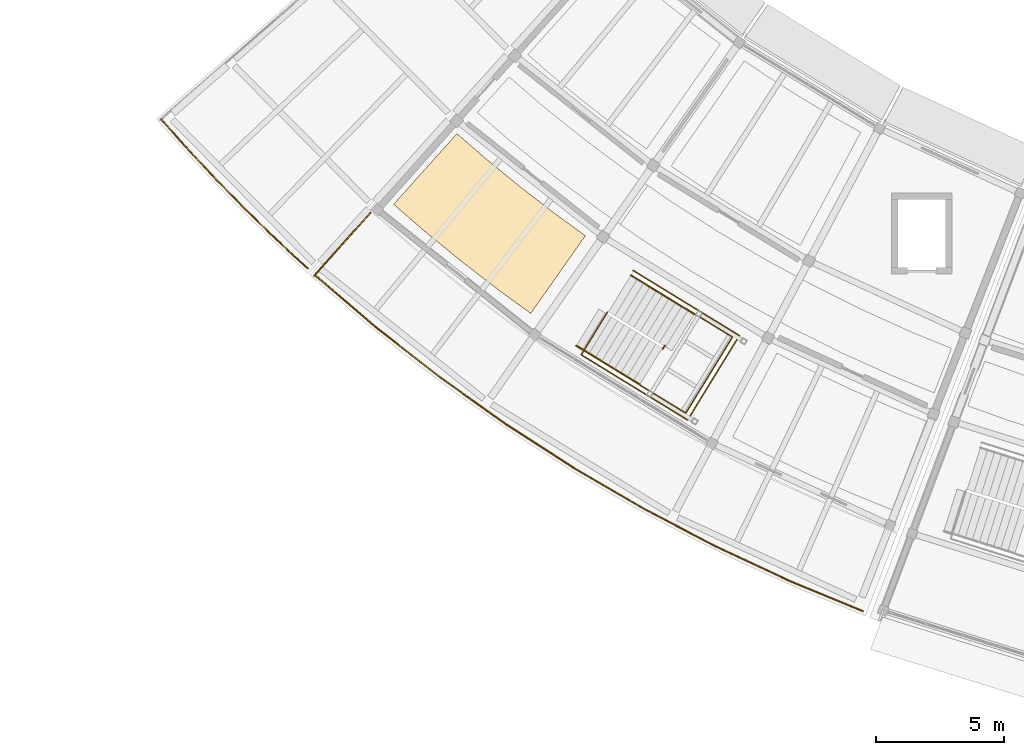
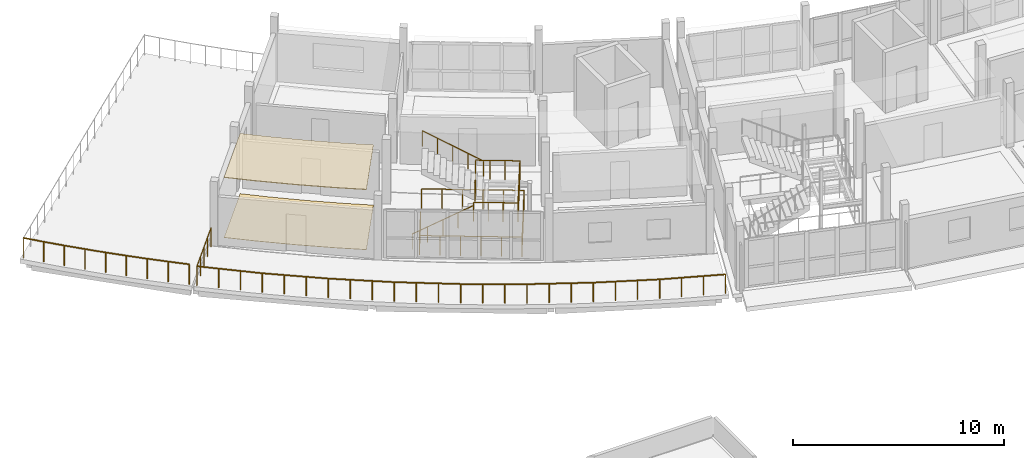
# One storey, part 32 of 36: 8 railings, 2 coverings.
"""IFC4 building model written with IfcOpenShell, lengths in metres."""

from ifc_helpers import new_model, si_unit, direction, frame, origin, origin_2d, place, context, subcontext, project, spatial, polyline, circle, outline, extrude, material, layer, layer_set, type_object, element, save


model = new_model("IFC4")

# Units and contexts
model_context = context("Model", 3, precision=1e-05, world=origin(), true_north=direction((0.0, 1.0)))
body_context = subcontext(model_context, "Body", "Model", "MODEL_VIEW")
ifc_project = project(units=[si_unit("LENGTHUNIT", "METRE"), si_unit("AREAUNIT", "SQUARE_METRE"), si_unit("VOLUMEUNIT", "CUBIC_METRE"), si_unit("PLANEANGLEUNIT", "RADIAN"), si_unit("MASSUNIT", "GRAM", prefix="KILO")], contexts=[model_context])

# Site, building, storey
site_placement = place(None, origin())
site = spatial("IfcSite", under=ifc_project, at=site_placement, CompositionType="ELEMENT")
building_placement = place(site_placement, origin())
building = spatial("IfcBuilding", under=site, at=building_placement, Name="Caldaven Crescent School", CompositionType="ELEMENT")
storey_placement = place(building_placement, frame((0.0, 0.0, 11.89990234375)))
storey = spatial("IfcBuildingStorey", under=building, at=storey_placement, Name="L03", CompositionType="ELEMENT", Elevation=11.89990234375)

# Coverings
ifc_material_1 = material(Name="Perforated Pino Radiata acoustic timber baffle ceiling", Category="wood")
ifc_layer_1 = layer(ifc_material_1, 0.0380859375)
ifc_layer_set_1 = layer_set([ifc_layer_1], Name="Perforated Pino Radiata acoustic timber baffle ceiling")
covering_type_1 = type_object("IfcCoveringType", Name="COV-CLG2", PredefinedType="CEILING", material=ifc_layer_set_1)
covering_1_placement = place(storey_placement, frame((0.0, 0.0, 3.47216796875)))
element("IfcCovering", 1, at=covering_1_placement, inside=storey, type_object=covering_type_1, Name="CLG-L03-165", PredefinedType="CEILING", context=body_context, shape_type="SweptSolid", body=[
    extrude(outline(polyline([(47.9443359375, 48.58447265625), (47.95458984375, 48.575927734375), (49.355224609375, 47.427734375), (49.36572265625, 47.41943359375), (50.7998046875, 46.312744140625), (50.810302734375, 46.304931640625), (51.917236328125, 45.50146484375), (49.7880859375, 42.4755859375), (48.587890625, 43.3466796875), (47.057373046875, 44.52783203125), (45.56201171875, 45.75341796875), (44.443115234375, 46.72705078125), (46.91259765625, 49.482421875), (47.9443359375, 48.58447265625)])), origin(), (0.0, 0.0, 1.0), 0.037841796875),
])
ifc_material_2 = material(Name="Polished terrazzo and acoustic linoleum flooring")
ifc_layer_2 = layer(ifc_material_2, 0.02001953125)
ifc_layer_set_2 = layer_set([ifc_layer_2], Name="Polished terrazzo and acoustic linoleum flooring")
covering_type_2 = type_object("IfcCoveringType", Name="COV-FLR1", PredefinedType="FLOORING", material=ifc_layer_set_2)
covering_2_placement = place(storey_placement, origin())
element("IfcCovering", 2, at=covering_2_placement, inside=storey, type_object=covering_type_2, Name="FLR-L03-165", PredefinedType="FLOORING", context=body_context, shape_type="SweptSolid", body=[
    extrude(outline(polyline([(46.91259765625, 49.482421875), (47.9443359375, 48.58447265625), (47.95458984375, 48.575927734375), (49.355224609375, 47.427734375), (49.36572265625, 47.41943359375), (50.7998046875, 46.312744140625), (50.810302734375, 46.304931640625), (51.917236328125, 45.50146484375), (49.7880859375, 42.4755859375), (48.587890625, 43.3466796875), (47.057373046875, 44.52783203125), (45.56201171875, 45.75341796875), (44.443115234375, 46.72705078125), (46.91259765625, 49.482421875)])), origin(), (0.0, 0.0, 1.0), 0.02001953125),
])

# Railings
ifc_material_3 = material(Name="Galvanised powder-coated steel balustrade ASTM A572 Grade 50", Category="steel")
railing_type_1 = type_object("IfcRailingType", Name="RAL-EXT2", PredefinedType="BALUSTRADE", material=ifc_material_3)
railing_1_placement = place(storey_placement, frame((41.373779296875, 43.976806640625, 0.0)))
element("IfcRailing", 3, at=railing_1_placement, inside=storey, type_object=railing_type_1, Name="GD-BT-L03-W-OUT", PredefinedType="BALUSTRADE", context=body_context, shape_type="SweptSolid", body=[
    extrude(circle(Radius=0.02392578125, at=origin_2d()), frame((0.0, 0.0, 1.09619140625), z_axis=(0.759530103452, -0.650472153094, 0.0), x_axis=(0.650472153094, 0.759530103452, 0.0)), (0.0, 0.0, 1.0), 3.149658203125),
    extrude(circle(Radius=0.02392578125, at=origin_2d()), frame((2.392333984375, -2.048828125, 1.09619140625), z_axis=(0.788069031485, -0.615586875765, 0.0), x_axis=(0.615586875765, 0.788069031485, 0.0)), (0.0, 0.0, 1.0), 3.1494140625),
    extrude(circle(Radius=0.02392578125, at=origin_2d()), frame((4.874267578125, -3.987548828125, 1.09619140625), z_axis=(0.81501471023, -0.579440266213, 0.0), x_axis=(0.579440266213, 0.81501471023, 0.0)), (0.0, 0.0, 1.0), 3.1494140625),
    extrude(circle(Radius=0.02392578125, at=origin_2d()), frame((7.441162109375, -5.8125, 1.09619140625), z_axis=(0.840338791908, -0.542061541538, 0.0), x_axis=(0.542061541538, 0.840338791908, 0.0)), (0.0, 0.0, 1.0), 3.149658203125),
    extrude(circle(Radius=0.02392578125, at=origin_2d()), frame((10.087890625, -7.519775390625, 1.09619140625), z_axis=(0.863888523968, -0.503683053275, 0.0), x_axis=(0.503683053275, 0.863888523968, 0.0)), (0.0, 0.0, 1.0), 3.149658203125),
    extrude(circle(Radius=0.02392578125, at=origin_2d()), frame((12.808837890625, -9.106201171875, 1.09619140625), z_axis=(0.885705572536, -0.46424738963, 0.0), x_axis=(0.46424738963, 0.885705572536, 0.0)), (0.0, 0.0, 1.0), 3.1494140625),
    extrude(circle(Radius=0.02392578125, at=origin_2d()), frame((15.598388671875, -10.568359375, 1.09619140625), z_axis=(0.905752912637, -0.423806159995, 0.0), x_axis=(0.423806159995, 0.905752912637, 0.0)), (0.0, 0.0, 1.0), 3.1494140625),
    extrude(circle(Radius=0.02392578125, at=origin_2d()), frame((18.450927734375, -11.903076171875, 1.09619140625), z_axis=(0.923907249751, -0.382616510174, 0.0), x_axis=(0.382616510174, 0.923907249751, 0.0)), (0.0, 0.0, 1.0), 3.149658203125),
    extrude(circle(Radius=0.02099609375, at=origin_2d()), origin(), (0.0, 0.0, 1.0), 1.072021484375),
    extrude(circle(Radius=0.02099609375, at=origin_2d()), frame((0.79736328125, -0.682861328125, 0.0)), (0.0, 0.0, 1.0), 1.072021484375),
    extrude(circle(Radius=0.02099609375, at=origin_2d()), frame((1.594970703125, -1.365966796875, 0.0)), (0.0, 0.0, 1.0), 1.072021484375),
    extrude(circle(Radius=0.02099609375, at=origin_2d()), frame((2.392333984375, -2.048828125, 0.0)), (0.0, 0.0, 1.0), 1.072021484375),
    extrude(circle(Radius=0.02099609375, at=origin_2d()), frame((3.2197265625, -2.695068359375, 0.0)), (0.0, 0.0, 1.0), 1.072021484375),
    extrude(circle(Radius=0.02099609375, at=origin_2d()), frame((4.046875, -3.34130859375, 0.0)), (0.0, 0.0, 1.0), 1.072021484375),
    extrude(circle(Radius=0.02099609375, at=origin_2d()), frame((4.874267578125, -3.987548828125, 0.0)), (0.0, 0.0, 1.0), 1.072021484375),
    extrude(circle(Radius=0.02099609375, at=origin_2d()), frame((5.72998046875, -4.595947265625, 0.0)), (0.0, 0.0, 1.0), 1.072021484375),
    extrude(circle(Radius=0.02099609375, at=origin_2d()), frame((6.58544921875, -5.2041015625, 0.0)), (0.0, 0.0, 1.0), 1.072021484375),
    extrude(circle(Radius=0.02099609375, at=origin_2d()), frame((7.441162109375, -5.8125, 0.0)), (0.0, 0.0, 1.0), 1.072021484375),
    extrude(circle(Radius=0.02099609375, at=origin_2d()), frame((8.323486328125, -6.381591796875, 0.0)), (0.0, 0.0, 1.0), 1.072021484375),
    extrude(circle(Radius=0.02099609375, at=origin_2d()), frame((9.20556640625, -6.95068359375, 0.0)), (0.0, 0.0, 1.0), 1.072021484375),
    extrude(circle(Radius=0.02099609375, at=origin_2d()), frame((10.087890625, -7.519775390625, 0.0)), (0.0, 0.0, 1.0), 1.072021484375),
    extrude(circle(Radius=0.02099609375, at=origin_2d()), frame((10.994873046875, -8.048583984375, 0.0)), (0.0, 0.0, 1.0), 1.072021484375),
    extrude(circle(Radius=0.02099609375, at=origin_2d()), frame((11.90185546875, -8.577392578125, 0.0)), (0.0, 0.0, 1.0), 1.072021484375),
    extrude(circle(Radius=0.02099609375, at=origin_2d()), frame((12.808837890625, -9.106201171875, 0.0)), (0.0, 0.0, 1.0), 1.072021484375),
    extrude(circle(Radius=0.02099609375, at=origin_2d()), frame((13.73876953125, -9.593505859375, 0.0)), (0.0, 0.0, 1.0), 1.072021484375),
    extrude(circle(Radius=0.02099609375, at=origin_2d()), frame((14.66845703125, -10.0810546875, 0.0)), (0.0, 0.0, 1.0), 1.072021484375),
    extrude(circle(Radius=0.02099609375, at=origin_2d()), frame((15.598388671875, -10.568359375, 0.0)), (0.0, 0.0, 1.0), 1.072021484375),
    extrude(circle(Radius=0.02099609375, at=origin_2d()), frame((16.54931640625, -11.01318359375, 0.0)), (0.0, 0.0, 1.0), 1.072021484375),
    extrude(circle(Radius=0.02099609375, at=origin_2d()), frame((17.5, -11.458251953125, 0.0)), (0.0, 0.0, 1.0), 1.072021484375),
    extrude(circle(Radius=0.02099609375, at=origin_2d()), frame((18.450927734375, -11.903076171875, 0.0)), (0.0, 0.0, 1.0), 1.072021484375),
    extrude(circle(Radius=0.02099609375, at=origin_2d()), frame((19.4208984375, -12.3046875, 0.0)), (0.0, 0.0, 1.0), 1.072021484375),
    extrude(circle(Radius=0.02099609375, at=origin_2d()), frame((20.390869140625, -12.70654296875, 0.0)), (0.0, 0.0, 1.0), 1.072021484375),
    extrude(circle(Radius=0.02099609375, at=origin_2d()), frame((21.36083984375, -13.108154296875, 0.0)), (0.0, 0.0, 1.0), 1.072021484375),
])
railing_2_placement = place(storey_placement, frame((43.536376953125, 46.389404296875, 0.0)))
element("IfcRailing", 4, at=railing_2_placement, inside=storey, type_object=railing_type_1, Name="GD-BT-L03-W-END0", PredefinedType="BALUSTRADE", context=body_context, shape_type="SweptSolid", body=[
    extrude(circle(Radius=0.02392578125, at=origin_2d()), frame((0.0, 0.0, 1.09619140625), z_axis=(-0.667458211328, -0.744647256176, 0.0), x_axis=(0.744647256176, -0.667458211328, 0.0)), (0.0, 0.0, 1.0), 3.280029296875),
    extrude(circle(Radius=0.02099609375, at=origin_2d()), origin(), (0.0, 0.0, 1.0), 1.072021484375),
    extrude(circle(Radius=0.02099609375, at=origin_2d()), frame((-0.54736328125, -0.610595703125, 0.0)), (0.0, 0.0, 1.0), 1.072021484375),
    extrude(circle(Radius=0.02099609375, at=origin_2d()), frame((-1.0947265625, -1.22119140625, 0.0)), (0.0, 0.0, 1.0), 1.072021484375),
    extrude(circle(Radius=0.02099609375, at=origin_2d()), frame((-1.641845703125, -1.831787109375, 0.0)), (0.0, 0.0, 1.0), 1.072021484375),
    extrude(circle(Radius=0.02099609375, at=origin_2d()), frame((-2.189208984375, -2.4423828125, 0.0)), (0.0, 0.0, 1.0), 1.072021484375),
])
railing_type_2 = type_object("IfcRailingType", Name="RAL-EXT4", PredefinedType="BALUSTRADE", material=ifc_material_3)
railing_3_placement = place(storey_placement, frame((35.38134765625, 50.046875, 0.0)))
element("IfcRailing", 5, at=railing_3_placement, inside=storey, type_object=railing_type_2, Name="GD-PD-L03-W-OUT", PredefinedType="BALUSTRADE", context=body_context, shape_type="SweptSolid", body=[
    extrude(circle(Radius=0.02392578125, at=origin_2d()), frame((0.0, 0.0, 1.15576171875), z_axis=(0.663203898473, -0.748438767736, 0.0), x_axis=(0.748438767736, 0.663203898473, 0.0)), (0.0, 0.0, 1.0), 1.019775390625),
    extrude(circle(Radius=0.02392578125, at=origin_2d()), frame((0.67626953125, -0.76318359375, 1.15576171875), z_axis=(0.674161463339, -0.738583997491, 0.0), x_axis=(0.738583997491, 0.674161463339, 0.0)), (0.0, 0.0, 1.0), 1.01953125),
    extrude(circle(Radius=0.02392578125, at=origin_2d()), frame((1.363525390625, -1.51611328125, 1.15576171875), z_axis=(0.684737124095, -0.728790141869, 0.0), x_axis=(0.728790141869, 0.684737124095, 0.0)), (0.0, 0.0, 1.0), 1.019775390625),
    extrude(circle(Radius=0.02392578125, at=origin_2d()), frame((2.061767578125, -2.25927734375, 1.15576171875), z_axis=(0.695521126415, -0.718505645566, 0.0), x_axis=(0.718505645566, 0.695521126415, 0.0)), (0.0, 0.0, 1.0), 1.019775390625),
    extrude(circle(Radius=0.02392578125, at=origin_2d()), frame((2.77099609375, -2.991943359375, 1.15576171875), z_axis=(0.705668602357, -0.708542040847, 0.0), x_axis=(0.708542040847, 0.705668602357, 0.0)), (0.0, 0.0, 1.0), 1.01953125),
    extrude(circle(Radius=0.02392578125, at=origin_2d()), frame((3.490478515625, -3.71435546875, 1.15576171875), z_axis=(0.716146730092, -0.697949755339, 0.0), x_axis=(0.697949755339, 0.716146730092, 0.0)), (0.0, 0.0, 1.0), 1.019775390625),
    extrude(circle(Radius=0.02392578125, at=origin_2d()), frame((4.220703125, -4.426025390625, 1.15576171875), z_axis=(0.726235761368, -0.687445720701, 0.0), x_axis=(0.687445720701, 0.726235761368, 0.0)), (0.0, 0.0, 1.0), 1.01953125),
    extrude(circle(Radius=0.02392578125, at=origin_2d()), frame((4.961181640625, -5.126953125, 1.15576171875), z_axis=(0.73605985159, -0.676916460782, 0.0), x_axis=(0.676916460782, 0.73605985159, 0.0)), (0.0, 0.0, 1.0), 1.01953125),
    extrude(circle(Radius=0.02099609375, at=origin_2d()), origin(), (0.0, 0.0, 1.0), 1.1318359375),
    extrude(circle(Radius=0.02099609375, at=origin_2d()), frame((0.67626953125, -0.76318359375, 0.0)), (0.0, 0.0, 1.0), 1.1318359375),
    extrude(circle(Radius=0.02099609375, at=origin_2d()), frame((1.363525390625, -1.51611328125, 0.0)), (0.0, 0.0, 1.0), 1.1318359375),
    extrude(circle(Radius=0.02099609375, at=origin_2d()), frame((2.061767578125, -2.25927734375, 0.0)), (0.0, 0.0, 1.0), 1.1318359375),
    extrude(circle(Radius=0.02099609375, at=origin_2d()), frame((2.77099609375, -2.991943359375, 0.0)), (0.0, 0.0, 1.0), 1.1318359375),
    extrude(circle(Radius=0.02099609375, at=origin_2d()), frame((3.490478515625, -3.71435546875, 0.0)), (0.0, 0.0, 1.0), 1.1318359375),
    extrude(circle(Radius=0.02099609375, at=origin_2d()), frame((4.220703125, -4.426025390625, 0.0)), (0.0, 0.0, 1.0), 1.1318359375),
    extrude(circle(Radius=0.02099609375, at=origin_2d()), frame((4.961181640625, -5.126953125, 0.0)), (0.0, 0.0, 1.0), 1.1318359375),
    extrude(circle(Radius=0.02099609375, at=origin_2d()), frame((5.711669921875, -5.817138671875, 0.0)), (0.0, 0.0, 1.0), 1.1318359375),
])
ifc_material_4 = material(Name="Brushed stainless-steel continuous tubular handrail", Category="steel")
railing_type_3 = type_object("IfcRailingType", Name="RAL-HR3", PredefinedType="HANDRAIL", material=ifc_material_4)
railing_4_placement = place(storey_placement, frame((51.56787109375, 41.218017578125, 0.173095703125)))
element("IfcRailing", 6, at=railing_4_placement, inside=storey, type_object=railing_type_3, Name="HR-ST1-L03-F1", PredefinedType="HANDRAIL", context=body_context, shape_type="SweptSolid", body=[
    extrude(circle(Radius=0.02392578125, at=origin_2d()), frame((0.0, 0.0, 0.89599609375), z_axis=(0.735587074415, -0.450735918624, 0.50571611366), x_axis=(0.522471243916, 0.85265690596, 0.0)), (0.0, 0.0, 1.0), 3.361572265625),
    extrude(circle(Radius=0.02099609375, at=origin_2d()), origin(), (0.0, 0.0, 1.0), 0.871826171875),
    extrude(circle(Radius=0.02099609375, at=origin_2d()), frame((0.6181640625, -0.37890625, 0.425048828125)), (0.0, 0.0, 1.0), 0.871826171875),
    extrude(circle(Radius=0.02099609375, at=origin_2d()), frame((1.236328125, -0.757568359375, 0.85009765625)), (0.0, 0.0, 1.0), 0.871826171875),
    extrude(circle(Radius=0.02099609375, at=origin_2d()), frame((1.8544921875, -1.13623046875, 1.27490234375)), (0.0, 0.0, 1.0), 0.871826171875),
    extrude(circle(Radius=0.02099609375, at=origin_2d()), frame((2.47265625, -1.51513671875, 1.699951171875)), (0.0, 0.0, 1.0), 0.871826171875),
])
railing_5_placement = place(storey_placement, frame((56.167236328125, 42.44580078125, 2.043212890625)))
element("IfcRailing", 7, at=railing_5_placement, inside=storey, type_object=railing_type_3, Name="HR-ST1-L03-F2", PredefinedType="HANDRAIL", context=body_context, shape_type="SweptSolid", body=[
    extrude(circle(Radius=0.02392578125, at=origin_2d()), frame((0.0, 0.0, 0.89599609375), z_axis=(-0.735562993094, 0.45079378931, 0.505699557752), x_axis=(-0.522532446618, -0.852619400572, 0.0)), (0.0, 0.0, 1.0), 3.361572265625),
    extrude(circle(Radius=0.02099609375, at=origin_2d()), origin(), (0.0, 0.0, 1.0), 0.871826171875),
    extrude(circle(Radius=0.02099609375, at=origin_2d()), frame((-0.6181640625, 0.37890625, 0.425048828125)), (0.0, 0.0, 1.0), 0.871826171875),
    extrude(circle(Radius=0.02099609375, at=origin_2d()), frame((-1.236328125, 0.7578125, 0.85009765625)), (0.0, 0.0, 1.0), 0.871826171875),
    extrude(circle(Radius=0.02099609375, at=origin_2d()), frame((-1.8544921875, 1.136474609375, 1.27490234375)), (0.0, 0.0, 1.0), 0.871826171875),
    extrude(circle(Radius=0.02099609375, at=origin_2d()), frame((-2.47265625, 1.515380859375, 1.699951171875)), (0.0, 0.0, 1.0), 0.871826171875),
])
ifc_material_5 = material(Name="Powder-coated tubular steel balustrade ASTM A572 Grade 50", Category="steel")
railing_type_4 = type_object("IfcRailingType", Name="RAL-INT2", PredefinedType="BALUSTRADE", material=ifc_material_5)
railing_6_placement = place(storey_placement, frame((54.03271484375, 39.68994140625, 1.8701171875)))
element("IfcRailing", 8, at=railing_6_placement, inside=storey, type_object=railing_type_4, Name="GD-LND-ST1-L03", PredefinedType="BALUSTRADE", context=body_context, shape_type="SweptSolid", body=[
    extrude(circle(Radius=0.02392578125, at=origin_2d()), frame((0.0, 0.0, 1.09619140625), z_axis=(0.852677742379, -0.522437238003, 0.0), x_axis=(0.522437238003, 0.852677742379, 0.0)), (0.0, 0.0, 1.0), 2.10986328125),
    extrude(circle(Radius=0.02392578125, at=origin_2d()), frame((1.799072265625, -1.102294921875, 1.09619140625), z_axis=(0.522530799947, 0.852620409741, 0.0), x_axis=(-0.852620409741, 0.522530799947, 0.0)), (0.0, 0.0, 1.0), 3.47998046875),
    extrude(circle(Radius=0.02392578125, at=origin_2d()), frame((3.617431640625, 1.86474609375, 1.09619140625), z_axis=(-0.852626195292, 0.52252135947, 0.0), x_axis=(-0.52252135947, -0.852626195292, 0.0)), (0.0, 0.0, 1.0), 2.110107421875),
    extrude(circle(Radius=0.02099609375, at=origin_2d()), origin(), (0.0, 0.0, 1.0), 1.072021484375),
    extrude(circle(Radius=0.02099609375, at=origin_2d()), frame((0.599609375, -0.367431640625, 0.0)), (0.0, 0.0, 1.0), 1.072021484375),
    extrude(circle(Radius=0.02099609375, at=origin_2d()), frame((1.199462890625, -0.73486328125, 0.0)), (0.0, 0.0, 1.0), 1.072021484375),
    extrude(circle(Radius=0.02099609375, at=origin_2d()), frame((1.799072265625, -1.102294921875, 0.0)), (0.0, 0.0, 1.0), 1.072021484375),
    extrude(circle(Radius=0.02099609375, at=origin_2d()), frame((2.253662109375, -0.360595703125, 0.0)), (0.0, 0.0, 1.0), 1.072021484375),
    extrude(circle(Radius=0.02099609375, at=origin_2d()), frame((2.708251953125, 0.38134765625, 0.0)), (0.0, 0.0, 1.0), 1.072021484375),
    extrude(circle(Radius=0.02099609375, at=origin_2d()), frame((3.162841796875, 1.123046875, 0.0)), (0.0, 0.0, 1.0), 1.072021484375),
    extrude(circle(Radius=0.02099609375, at=origin_2d()), frame((3.617431640625, 1.86474609375, 0.0)), (0.0, 0.0, 1.0), 1.072021484375),
    extrude(circle(Radius=0.02099609375, at=origin_2d()), frame((3.017822265625, 2.232177734375, 0.0)), (0.0, 0.0, 1.0), 1.072021484375),
    extrude(circle(Radius=0.02099609375, at=origin_2d()), frame((2.41796875, 2.599853515625, 0.0)), (0.0, 0.0, 1.0), 1.072021484375),
    extrude(circle(Radius=0.02099609375, at=origin_2d()), frame((1.818359375, 2.96728515625, 0.0)), (0.0, 0.0, 1.0), 1.072021484375),
])
railing_7_placement = place(storey_placement, frame((54.930908203125, 41.098388671875, 1.8701171875)))
element("IfcRailing", 9, at=railing_7_placement, inside=storey, type_object=railing_type_4, Name="GD-SLT-ST1-L03", PredefinedType="BALUSTRADE", context=body_context, shape_type="SweptSolid", body=[
    extrude(circle(Radius=0.02392578125, at=origin_2d()), frame((0.0, 0.0, 1.09619140625), z_axis=(0.522439134351, 0.85267658048, 0.0), x_axis=(-0.85267658048, 0.522439134351, 0.0)), (0.0, 0.0, 1.0), 0.1396484375),
    extrude(circle(Radius=0.02099609375, at=origin_2d()), origin(), (0.0, 0.0, 1.0), 1.072021484375),
    extrude(circle(Radius=0.02099609375, at=origin_2d()), frame((0.072998046875, 0.119140625, 0.0)), (0.0, 0.0, 1.0), 1.072021484375),
])
railing_type_5 = type_object("IfcRailingType", Name="RAL-INT3", PredefinedType="BALUSTRADE", material=ifc_material_5)
railing_8_placement = place(storey_placement, frame((52.7763671875, 42.524169921875, 0.0)))
element("IfcRailing", 10, at=railing_8_placement, inside=storey, type_object=railing_type_5, Name="GD-WELL-ST1-L03", PredefinedType="BALUSTRADE", context=body_context, shape_type="SweptSolid", body=[
    extrude(circle(Radius=0.02392578125, at=origin_2d()), frame((0.0, 0.0, 1.1259765625), z_axis=(-0.522427010479, -0.852684008717, 0.0), x_axis=(0.852684008717, -0.522427010479, 0.0)), (0.0, 0.0, 1.0), 1.9501953125),
    extrude(circle(Radius=0.02392578125, at=origin_2d()), frame((-1.018798828125, -1.662841796875, 1.1259765625), z_axis=(0.852648159218, -0.52248551806, 0.0), x_axis=(0.52248551806, 0.852648159218, 0.0)), (0.0, 0.0, 1.0), 4.86181640625),
    extrude(circle(Radius=0.02392578125, at=origin_2d()), frame((3.126708984375, -4.203125, 1.1259765625), z_axis=(0.522490866343, 0.852644881875, 0.0), x_axis=(-0.852644881875, 0.522490866343, 0.0)), (0.0, 0.0, 1.0), 3.860107421875),
    extrude(circle(Radius=0.02392578125, at=origin_2d()), frame((5.1435546875, -0.911865234375, 1.1259765625), z_axis=(-0.852648159218, 0.52248551806, 0.0), x_axis=(-0.52248551806, -0.852648159218, 0.0)), (0.0, 0.0, 1.0), 4.86181640625),
    extrude(circle(Radius=0.02099609375, at=origin_2d()), origin(), (0.0, 0.0, 1.0), 1.101806640625),
    extrude(circle(Radius=0.02099609375, at=origin_2d()), frame((-0.50927734375, -0.83154296875, 0.0)), (0.0, 0.0, 1.0), 1.101806640625),
    extrude(circle(Radius=0.02099609375, at=origin_2d()), frame((-1.018798828125, -1.662841796875, 0.0)), (0.0, 0.0, 1.0), 1.101806640625),
    extrude(circle(Radius=0.02099609375, at=origin_2d()), frame((-0.189697265625, -2.1708984375, 0.0)), (0.0, 0.0, 1.0), 1.101806640625),
    extrude(circle(Radius=0.02099609375, at=origin_2d()), frame((0.639404296875, -2.678955078125, 0.0)), (0.0, 0.0, 1.0), 1.101806640625),
    extrude(circle(Radius=0.02099609375, at=origin_2d()), frame((1.468505859375, -3.18701171875, 0.0)), (0.0, 0.0, 1.0), 1.101806640625),
    extrude(circle(Radius=0.02099609375, at=origin_2d()), frame((2.297607421875, -3.695068359375, 0.0)), (0.0, 0.0, 1.0), 1.101806640625),
    extrude(circle(Radius=0.02099609375, at=origin_2d()), frame((3.126708984375, -4.203125, 0.0)), (0.0, 0.0, 1.0), 1.101806640625),
    extrude(circle(Radius=0.02099609375, at=origin_2d()), frame((3.630859375, -3.38037109375, 0.0)), (0.0, 0.0, 1.0), 1.101806640625),
    extrude(circle(Radius=0.02099609375, at=origin_2d()), frame((4.13525390625, -2.5576171875, 0.0)), (0.0, 0.0, 1.0), 1.101806640625),
    extrude(circle(Radius=0.02099609375, at=origin_2d()), frame((4.639404296875, -1.734619140625, 0.0)), (0.0, 0.0, 1.0), 1.101806640625),
    extrude(circle(Radius=0.02099609375, at=origin_2d()), frame((5.1435546875, -0.911865234375, 0.0)), (0.0, 0.0, 1.0), 1.101806640625),
    extrude(circle(Radius=0.02099609375, at=origin_2d()), frame((4.314453125, -0.40380859375, 0.0)), (0.0, 0.0, 1.0), 1.101806640625),
    extrude(circle(Radius=0.02099609375, at=origin_2d()), frame((3.4853515625, 0.104248046875, 0.0)), (0.0, 0.0, 1.0), 1.101806640625),
    extrude(circle(Radius=0.02099609375, at=origin_2d()), frame((2.65625, 0.6123046875, 0.0)), (0.0, 0.0, 1.0), 1.101806640625),
    extrude(circle(Radius=0.02099609375, at=origin_2d()), frame((1.8271484375, 1.120361328125, 0.0)), (0.0, 0.0, 1.0), 1.101806640625),
    extrude(circle(Radius=0.02099609375, at=origin_2d()), frame((0.998046875, 1.62841796875, 0.0)), (0.0, 0.0, 1.0), 1.101806640625),
])

save(model, "model.ifc")
